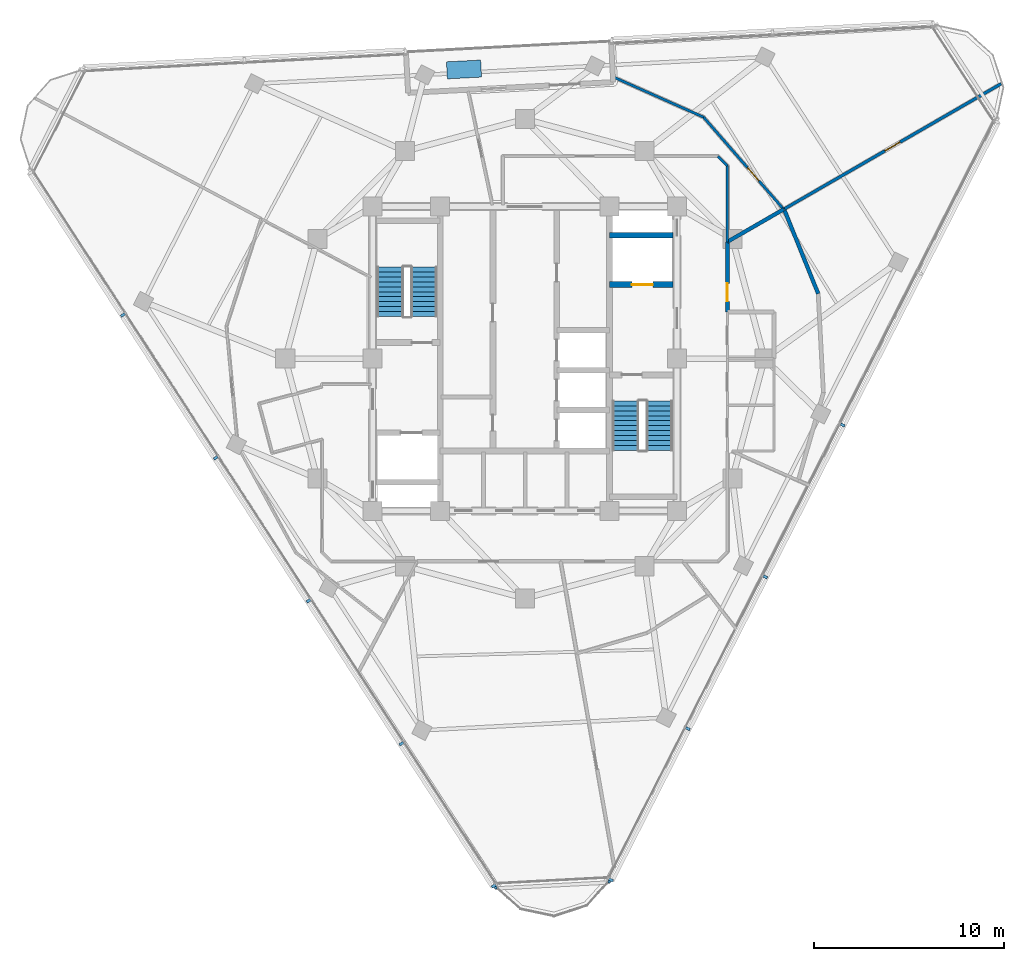
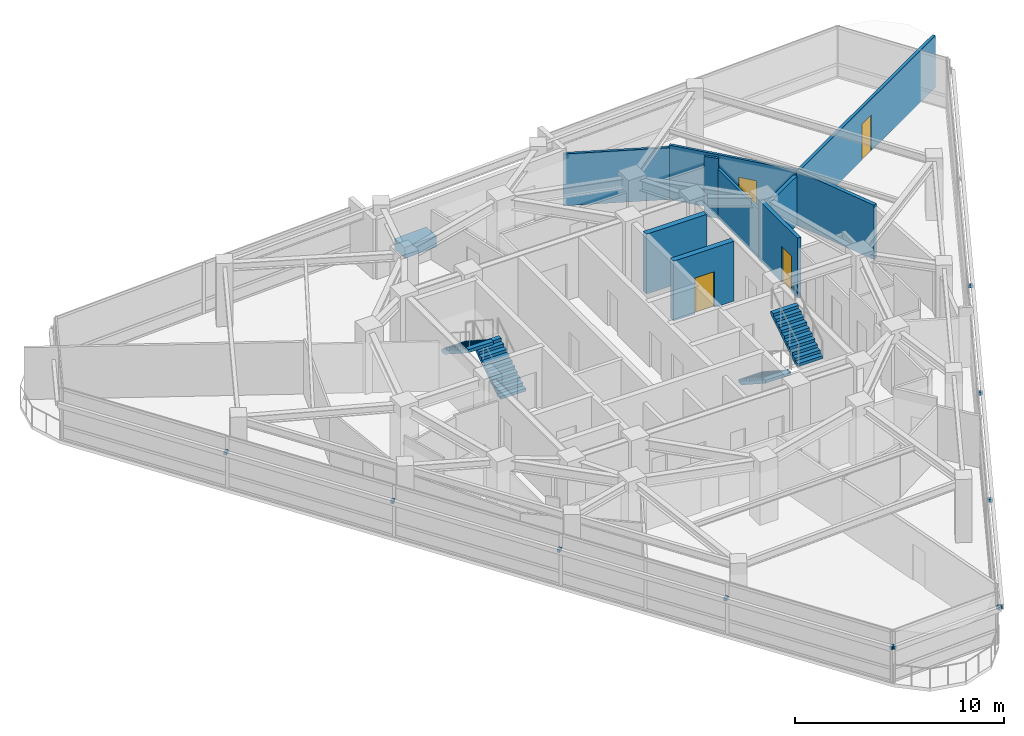
# One storey, part 10 of 15: 12 discrete accessories, 10 walls, 4 doors, 4 stair flights, 4 openings, 2 elements without a shape of their own.
"""IFC4 building model written with IfcOpenShell, lengths in metres."""

import ifcopenshell
import ifcopenshell.guid

model = None  # the IFC model being written
_history = None  # IfcOwnerHistory: only IFC2X3 demands one
_inside = {}  # id of a spatial element -> (the spatial element, [elements in it])
_under = {}  # id of a project, library or spatial element -> (it, [spatial elements below it])
_declared = {}  # id of a project -> (the project, [libraries it declares])
_typed = {}  # id of a type object -> (the type object, [elements of that type])
_made_of = {}  # id of a material, layer set ... -> (it, [elements and type objects made of it])


def new_model(schema):
    """Start an empty IFC model of exactly this schema.

    Asked for "IFC4X3", IfcOpenShell would pick the latest addendum, in which some entities
    have other attributes; the version numbers below select the first issue.
    IFC2X3 requires an IfcOwnerHistory on every rooted entity: one is made here for all.
    """
    global model, _history
    if schema == "IFC4X3":
        model = ifcopenshell.file(schema_version=(4, 3, 0, 0))
    else:
        model = ifcopenshell.file(schema=schema)
    _inside.clear()
    _under.clear()
    _declared.clear()
    _typed.clear()
    _made_of.clear()
    _history = None
    if model.schema == "IFC2X3":
        org = make("IfcOrganization", Name="unknown")
        user = make(
            "IfcPersonAndOrganization",
            ThePerson=make("IfcPerson", FamilyName="unknown"),
            TheOrganization=org,
        )
        app = make(
            "IfcApplication",
            ApplicationDeveloper=org,
            Version="unknown",
            ApplicationFullName="unknown",
            ApplicationIdentifier="unknown",
        )
        _history = make(
            "IfcOwnerHistory",
            OwningUser=user,
            OwningApplication=app,
            ChangeAction="ADDED",
            CreationDate=0,
        )
    return model


def make(cls, **values):
    """One entity of the class cls with the attributes given. An attribute that is None is left unset."""
    return model.create_entity(
        cls, **{name: value for name, value in values.items() if value is not None}
    )


def rooted(cls, **values):
    """An entity with a GlobalId (a new one), such as an element, a storey or a relation."""
    return make(cls, GlobalId=ifcopenshell.guid.new(), OwnerHistory=_history, **values)


def si_unit(unit_type, name, prefix=None):
    """IfcSIUnit, for example si_unit("LENGTHUNIT", "METRE", prefix="MILLI")."""
    return make("IfcSIUnit", UnitType=unit_type, Prefix=prefix, Name=name)


def assignment(units):
    """IfcUnitAssignment: the units of a project."""
    return None if units is None else make("IfcUnitAssignment", Units=units)


def point(xyz):
    """IfcCartesianPoint."""
    return None if xyz is None else make("IfcCartesianPoint", Coordinates=xyz)


def direction(xyz):
    """IfcDirection."""
    return None if xyz is None else make("IfcDirection", DirectionRatios=xyz)


def frame(location, z_axis=None, x_axis=None):
    """IfcAxis2Placement3D, a coordinate frame: its origin and axes. An axis left out is left unset."""
    return make(
        "IfcAxis2Placement3D",
        Location=point(location),
        Axis=direction(z_axis),
        RefDirection=direction(x_axis),
    )


def frame_2d(location, x_axis=None):
    """IfcAxis2Placement2D, a coordinate frame in the plane: its origin and x axis."""
    return make(
        "IfcAxis2Placement2D", Location=point(location), RefDirection=direction(x_axis)
    )


def origin():
    """The frame at (0, 0, 0) with its axes left unset."""
    return frame((0.0, 0.0, 0.0))


def origin_2d():
    """The frame at (0, 0) in the plane with its x axis left unset."""
    return frame_2d((0.0, 0.0))


def place(relative_to, where):
    """IfcLocalPlacement: puts the frame where relative to a parent placement (None: the world)."""
    return make(
        "IfcLocalPlacement", PlacementRelTo=relative_to, RelativePlacement=where
    )


def context(
    kind, dimensions, precision=None, world=None, true_north=None, identifier=None
):
    """IfcGeometricRepresentationContext, for example the 3D "Model" context."""
    return make(
        "IfcGeometricRepresentationContext",
        ContextIdentifier=identifier,
        ContextType=kind,
        CoordinateSpaceDimension=dimensions,
        Precision=precision,
        WorldCoordinateSystem=world,
        TrueNorth=true_north,
    )


def subcontext(parent, identifier, kind, view, scale=None):
    """IfcGeometricRepresentationSubContext, for example "Body" below "Model"."""
    return make(
        "IfcGeometricRepresentationSubContext",
        ContextIdentifier=identifier,
        ContextType=kind,
        ParentContext=parent,
        TargetScale=scale,
        TargetView=view,
    )


def project(units=None, contexts=None):
    """IfcProject with its units and contexts."""
    return rooted(
        "IfcProject",
        Name="project",
        RepresentationContexts=contexts,
        UnitsInContext=assignment(units),
    )


def spatial(cls, under=None, at=None, **own):
    """A site, building, storey or space (cls), placed at a placement, below another one or the project."""
    s = rooted(cls, ObjectPlacement=at, **own)
    if under is not None:
        _under.setdefault(under.id(), (under, []))[1].append(s)
    return s


def polyline(points):
    """IfcPolyline through the points."""
    return make("IfcPolyline", Points=[point(p) for p in points])


def profile(cls, at=None, kind="AREA", **sizes):
    """A parametric profile (cls). Its sizes go by their IFC names, for example OverallWidth=200.0."""
    return make(cls, ProfileType=kind, Position=at, **sizes)


def rectangle(**sizes):
    """IfcRectangleProfileDef."""
    return profile("IfcRectangleProfileDef", **sizes)


def outline(outer, holes=None, kind="AREA"):
    """IfcArbitraryClosedProfileDef: a profile drawn as a closed curve; with holes, ...WithVoids."""
    if holes is None:
        return make("IfcArbitraryClosedProfileDef", ProfileType=kind, OuterCurve=outer)
    return make(
        "IfcArbitraryProfileDefWithVoids",
        ProfileType=kind,
        OuterCurve=outer,
        InnerCurves=holes,
    )


def extrude(swept, where, along, depth):
    """IfcExtrudedAreaSolid: the profile swept, set in the frame where, extruded along a direction by depth."""
    return make(
        "IfcExtrudedAreaSolid",
        SweptArea=swept,
        Position=where,
        ExtrudedDirection=direction(along),
        Depth=depth,
    )


def shape(context_of_items, identifier, shape_type, items):
    """IfcShapeRepresentation: the items that make up one representation, for example the "Body"."""
    return make(
        "IfcShapeRepresentation",
        ContextOfItems=context_of_items,
        RepresentationIdentifier=identifier,
        RepresentationType=shape_type,
        Items=items,
    )


def material(Name=None, Category=None):
    """IfcMaterial."""
    return make("IfcMaterial", Name=Name, Category=Category)


def layer(
    of_material, thickness, ventilated=None, Name=None, Category=None, Priority=None
):
    """IfcMaterialLayer: one layer of a wall or slab, of a material (None: an air gap)."""
    return make(
        "IfcMaterialLayer",
        Material=of_material,
        LayerThickness=thickness,
        IsVentilated=ventilated,
        Name=Name,
        Category=Category,
        Priority=Priority,
    )


def layer_set(layers, Name=None):
    """IfcMaterialLayerSet."""
    return make("IfcMaterialLayerSet", MaterialLayers=layers, LayerSetName=Name)


def made_of(thing, what):
    """Note that an element or type object is made of a material, layer set ...; save() writes the relation."""
    if what is not None:
        _made_of.setdefault(what.id(), (what, []))[1].append(thing)
    return thing


def type_object(cls, material=None, **own):
    """A type object (cls), such as IfcWallType, which elements share."""
    return made_of(rooted(cls, **own), material)


def element(
    cls,
    number,
    at=None,
    inside=None,
    cuts=None,
    type_object=None,
    material=None,
    context=None,
    identifier="Body",
    shape_type=None,
    held_by="IfcProductDefinitionShape",
    body=None,
    shapes=None,
    **own,
):
    """One element of the class cls, such as IfcWall. Its Tag is "e" and its number.

    at: its placement. inside: the storey or other place that contains it. cuts: it is an
    opening in that element (IfcRelVoidsElement). A single representation is given by context,
    identifier, shape_type and body (its items); several are given by shapes. held_by: the class
    of the entity that holds the representations. save() writes the other relations.
    """
    e = rooted(cls, Tag="e%d" % number, ObjectPlacement=at, **own)
    if body is not None:
        shapes = [shape(context, identifier, shape_type, body)]
    if shapes is not None:
        e.Representation = make(held_by, Representations=shapes)
    if inside is not None:
        _inside.setdefault(inside.id(), (inside, []))[1].append(e)
    if cuts is not None:
        rooted(
            "IfcRelVoidsElement", RelatingBuildingElement=cuts, RelatedOpeningElement=e
        )
    if type_object is not None:
        _typed.setdefault(type_object.id(), (type_object, []))[1].append(e)
    return made_of(e, material)


def fill(opening, filler):
    """IfcRelFillsElement: the door or window that sits in an opening."""
    return rooted(
        "IfcRelFillsElement",
        RelatingOpeningElement=opening,
        RelatedBuildingElement=filler,
    )


def aggregate(whole, parts):
    """IfcRelAggregates: a whole, such as a stair, and the parts it consists of."""
    return rooted("IfcRelAggregates", RelatingObject=whole, RelatedObjects=parts)


def save(model, path):
    """Write the relations noted so far, then the file.

    IfcRelAggregates (storeys below a building ...), IfcRelContainedInSpatialStructure (elements
    in a storey), IfcRelDefinesByType, IfcRelAssociatesMaterial and IfcRelDeclares: one each for
    every whole, place, type object, material and project.
    """
    for whole, parts in _under.values():
        aggregate(whole, parts)
    for where, things in _inside.values():
        rooted(
            "IfcRelContainedInSpatialStructure",
            RelatedElements=things,
            RelatingStructure=where,
        )
    for kind, things in _typed.values():
        rooted("IfcRelDefinesByType", RelatedObjects=things, RelatingType=kind)
    for what, things in _made_of.values():
        rooted("IfcRelAssociatesMaterial", RelatedObjects=things, RelatingMaterial=what)
    for by, libraries in _declared.values():
        rooted("IfcRelDeclares", RelatingContext=by, RelatedDefinitions=libraries)
    model.write(path)


model = new_model("IFC4")

# Units and contexts
model_context = context("Model", 3, precision=1e-05, world=origin(), true_north=direction((0.0, 1.0)))
body_context = subcontext(model_context, "Body", "Model", "MODEL_VIEW")
ifc_project = project(units=[si_unit("LENGTHUNIT", "METRE"), si_unit("AREAUNIT", "SQUARE_METRE"), si_unit("VOLUMEUNIT", "CUBIC_METRE"), si_unit("PLANEANGLEUNIT", "RADIAN"), si_unit("MASSUNIT", "GRAM", prefix="KILO")], contexts=[model_context])

# Site, building, storey
site_placement = place(None, origin())
site = spatial("IfcSite", under=ifc_project, at=site_placement, CompositionType="ELEMENT")
building_placement = place(site_placement, origin())
building = spatial("IfcBuilding", under=site, at=building_placement, Name="Terralouvre Media Tower", CompositionType="ELEMENT")
storey_placement = place(building_placement, frame((0.0, 0.0, 270.699951171875)))
storey = spatial("IfcBuildingStorey", under=building, at=storey_placement, Name="L70", CompositionType="ELEMENT", Elevation=270.699951171875)

# Wall, opening, door
ifc_material_1 = material(Name="Concrete C50/60", Category="concrete")
ifc_layer_1 = layer(ifc_material_1, 0.300048828125, Name="Core Internal Shaft Wall CW-300")
ifc_layer_set_1 = layer_set([ifc_layer_1], Name="Concrete C50/60")
wall_type_1 = type_object("IfcWallType", Name="Core Internal Shaft Wall CW-300", PredefinedType="SHEAR", material=ifc_layer_set_1)
wall_1_placement = place(storey_placement, frame((4.449951171875, 3.89990234375, 0.0), z_axis=(0.0, 0.0, 1.0), x_axis=(1.0, 0.0, 0.0)))
wall_1 = element("IfcWall", 1, at=wall_1_placement, inside=storey, type_object=wall_type_1, Name="L70 Core Shaft Wall FF2S", PredefinedType="SHEAR", context=body_context, shape_type="SweptSolid", body=[
    extrude(rectangle(XDim=3.340087890625, YDim=0.300048828125, at=frame_2d((1.669921875, 0.0))), origin(), (0.0, 0.0, 1.0), 3.5),
])
opening_1_placement = place(wall_1_placement, frame((1.179931640625, 0.0, 0.0)))
opening_1 = element("IfcOpeningElement", 2, at=opening_1_placement, cuts=wall_1, Name="Opening LD-FF", PredefinedType="OPENING", context=body_context, shape_type="SweptSolid", body=[
    extrude(rectangle(XDim=1.10009765625, YDim=2.10009765625, at=frame_2d((0.550048828125, 1.050048828125))), frame((0.0, 0.159912109375, 0.0), z_axis=(0.0, -1.0, 0.0), x_axis=(1.0, 0.0, 0.0)), (0.0, 0.0, 1.0), 0.320068359375),
])
ifc_material_2 = material(Name="Stainless steel 316 handrail and balustrade", Category="steel")
door_type_1 = type_object("IfcDoorType", Name="Firefighting Lift Sliding Landing Door LD-FF", OperationType="SLIDING_TO_LEFT", PredefinedType="DOOR", material=ifc_material_2)
door_1_placement = place(opening_1_placement, origin())
door_1 = element("IfcDoor", 3, at=door_1_placement, inside=storey, type_object=door_type_1, Name="L70 Firefighting Lift FFL-02 Landing Door", OperationType="SLIDING_TO_LEFT", OverallHeight=2.10009765625, OverallWidth=1.10009765625, PredefinedType="DOOR", context=body_context, shape_type="SweptSolid", body=[
    extrude(rectangle(XDim=1.10009765625, YDim=2.10009765625, at=frame_2d((0.550048828125, 1.050048828125))), frame((0.0, 0.02490234375, 0.0), z_axis=(0.0, -1.0, 0.0), x_axis=(1.0, 0.0, 0.0)), (0.0, 0.0, 1.0), 0.050048828125),
])
fill(opening_1, door_1)

# Wall
wall_2_placement = place(storey_placement, frame((4.449951171875, 6.5, 0.0), z_axis=(0.0, 0.0, 1.0), x_axis=(1.0, 0.0, 0.0)))
element("IfcWall", 4, at=wall_2_placement, inside=storey, type_object=wall_type_1, Name="L70 Core Shaft Wall FF2N", PredefinedType="SHEAR", context=body_context, shape_type="SweptSolid", body=[
    extrude(rectangle(XDim=3.340087890625, YDim=0.300048828125, at=frame_2d((1.669921875, 0.0))), origin(), (0.0, 0.0, 1.0), 3.5),
])

# Wall, opening, door
ifc_material_3 = material(Name="Fire-rated gypsum board drywall partition")
ifc_layer_2 = layer(ifc_material_3, 0.199951171875, Name="Fire-Rated Shaft and Lobby Partition FW-200")
ifc_layer_set_2 = layer_set([ifc_layer_2], Name="Fire-rated gypsum board drywall partition")
wall_type_2 = type_object("IfcWallType", Name="Fire-Rated Shaft and Lobby Partition FW-200", PredefinedType="SOLIDWALL", material=ifc_layer_set_2)
wall_3_placement = place(storey_placement, frame((10.64990234375, 2.449951171875, 0.0), z_axis=(0.0, 0.0, 1.0), x_axis=(0.0, 1.0, 0.0)))
wall_3 = element("IfcWall", 5, at=wall_3_placement, inside=storey, type_object=wall_type_2, Name="L70 Interior Partition 015", PredefinedType="SOLIDWALL", context=body_context, shape_type="SweptSolid", body=[
    extrude(rectangle(XDim=3.698974609375, YDim=0.199951171875, at=frame_2d((1.849609375, 0.0))), origin(), (0.0, 0.0, 1.0), 3.5),
])
opening_2_placement = place(wall_3_placement, frame((0.560791015625, 0.0, 0.0)))
opening_2 = element("IfcOpeningElement", 6, at=opening_2_placement, cuts=wall_3, Name="Opening FD-02-95X210", PredefinedType="OPENING", context=body_context, shape_type="SweptSolid", body=[
    extrude(rectangle(XDim=0.949951171875, YDim=2.10009765625, at=frame_2d((0.47509765625, 1.050048828125))), frame((0.0, 0.10986328125, 0.0), z_axis=(0.0, -1.0, 0.0), x_axis=(1.0, 0.0, 0.0)), (0.0, 0.0, 1.0), 0.219970703125),
])
ifc_material_4 = material(Name="Galvanised steel fire-resisting leaf", Category="steel")
door_type_2 = type_object("IfcDoorType", Name="Plant and Riser Fire Door FD-02 (950x2100)", OperationType="NOTDEFINED", PredefinedType="DOOR", material=ifc_material_4)
door_2_placement = place(opening_2_placement, origin())
door_2 = element("IfcDoor", 7, at=door_2_placement, inside=storey, type_object=door_type_2, Name="L70 Lighting Dimmer Switch Room 6 Door", OperationType="SINGLE_SWING_LEFT", OverallHeight=2.10009765625, OverallWidth=0.949951171875, PredefinedType="DOOR", context=body_context, shape_type="SweptSolid", body=[
    extrude(rectangle(XDim=0.949951171875, YDim=2.10009765625, at=frame_2d((0.47509765625, 1.050048828125))), frame((0.0, 0.02490234375, 0.0), z_axis=(0.0, -1.0, 0.0), x_axis=(1.0, 0.0, 0.0)), (0.0, 0.0, 1.0), 0.050048828125),
])
fill(opening_2, door_2)

# Walls
wall_4_placement = place(storey_placement, frame((15.425048828125, 3.419921875, 0.0), z_axis=(0.0, 0.0, 1.0), x_axis=(-0.374591900922, 0.927189790584, 0.0)))
element("IfcWall", 8, at=wall_4_placement, inside=storey, type_object=wall_type_2, Name="L70 Interior Partition 045", PredefinedType="SOLIDWALL", context=body_context, shape_type="SweptSolid", body=[
    extrude(rectangle(XDim=4.73046875, YDim=0.199951171875, at=frame_2d((2.365234375, 0.0))), origin(), (0.0, 0.0, 1.0), 3.18505859375),
])
wall_5_placement = place(storey_placement, frame((13.60888671875, 7.85693359375, 0.0), z_axis=(0.0, 0.0, 1.0), x_axis=(-0.866071357471, -0.499920397431, 0.0)))
element("IfcWall", 9, at=wall_5_placement, inside=storey, type_object=wall_type_2, Name="L70 Interior Partition 046", PredefinedType="SOLIDWALL", context=body_context, shape_type="SweptSolid", body=[
    extrude(rectangle(XDim=3.41650390625, YDim=0.199951171875, at=frame_2d((1.708251953125, 0.0))), origin(), (0.0, 0.0, 1.0), 2.885009765625),
])
ifc_material_5 = material(Name="Fire-rated gypsum board drywall partition")
ifc_layer_3 = layer(ifc_material_5, 0.135009765625, Name="Newsroom Acoustic Partition PT-135")
ifc_layer_set_3 = layer_set([ifc_layer_3], Name="Fire-rated gypsum board drywall partition")
wall_type_3 = type_object("IfcWallType", Name="Newsroom Acoustic Partition PT-135", PredefinedType="PARTITIONING", material=ifc_layer_set_3)
wall_6_placement = place(storey_placement, frame((10.64990234375, 6.14892578125, 0.0), z_axis=(0.0, 0.0, 1.0), x_axis=(0.0, 1.0, 0.0)))
element("IfcWall", 10, at=wall_6_placement, inside=storey, type_object=wall_type_3, Name="L70 Interior Partition 017", PredefinedType="PARTITIONING", context=body_context, shape_type="SweptSolid", body=[
    extrude(rectangle(XDim=4.0009765625, YDim=0.135009765625, at=frame_2d((2.00048828125, 0.0))), origin(), (0.0, 0.0, 1.0), 2.885009765625),
])
wall_7_placement = place(storey_placement, frame((10.64990234375, 10.14990234375, 0.0), z_axis=(0.0, 0.0, 1.0), x_axis=(-0.707106781187, 0.707106781187, 0.0)))
element("IfcWall", 11, at=wall_7_placement, inside=storey, type_object=wall_type_3, Name="L70 Interior Partition 018", PredefinedType="PARTITIONING", context=body_context, shape_type="SweptSolid", body=[
    extrude(rectangle(XDim=0.70703125, YDim=0.135009765625, at=frame_2d((0.353515625, 0.0))), origin(), (0.0, 0.0, 1.0), 3.5),
])
wall_8_placement = place(storey_placement, frame((4.71240234375, 14.78759765625, 0.0), z_axis=(0.0, 0.0, 1.0), x_axis=(0.913507055513, -0.406822884716, 0.0)))
element("IfcWall", 12, at=wall_8_placement, inside=storey, type_object=wall_type_3, Name="L70 Interior Partition 048", PredefinedType="PARTITIONING", context=body_context, shape_type="SweptSolid", body=[
    extrude(rectangle(XDim=5.129150390625, YDim=0.135009765625, at=frame_2d((2.564453125, 0.0))), origin(), (0.0, 0.0, 1.0), 3.03515625),
])

# Wall, opening, door
wall_9_placement = place(storey_placement, frame((9.39794921875, 12.700927734375, 0.0), z_axis=(0.0, 0.0, 1.0), x_axis=(0.656069468174, -0.754700505452, 0.0)))
wall_9 = element("IfcWall", 13, at=wall_9_placement, inside=storey, type_object=wall_type_3, Name="L70 Interior Partition 049", PredefinedType="PARTITIONING", context=body_context, shape_type="SweptSolid", body=[
    extrude(rectangle(XDim=6.41845703125, YDim=0.135009765625, at=frame_2d((3.209228515625, 0.0))), origin(), (0.0, 0.0, 1.0), 3.18505859375),
])
opening_3_placement = place(wall_9_placement, frame((3.51953125, 0.0, 0.0)))
opening_3 = element("IfcOpeningElement", 14, at=opening_3_placement, cuts=wall_9, Name="Opening ID-03-92X210", PredefinedType="OPENING", context=body_context, shape_type="SweptSolid", body=[
    extrude(rectangle(XDim=0.919921875, YDim=2.10009765625, at=frame_2d((0.4599609375, 1.050048828125))), frame((0.0, 0.077392578125, 0.0), z_axis=(0.0, -1.0, 0.0), x_axis=(1.0, 0.0, 0.0)), (0.0, 0.0, 1.0), 0.155029296875),
])
ifc_material_6 = material(Name="Engineered hardwood acoustic timber leaf", Category="wood")
door_type_3 = type_object("IfcDoorType", Name="Accessible Restroom and Suite Door ID-03 (920x2100)", OperationType="NOTDEFINED", PredefinedType="DOOR", material=ifc_material_6)
door_3_placement = place(opening_3_placement, origin())
door_3 = element("IfcDoor", 15, at=door_3_placement, inside=storey, type_object=door_type_3, Name="L70 Creative Set Workshop 8 Door", OperationType="SINGLE_SWING_RIGHT", OverallHeight=2.10009765625, OverallWidth=0.919921875, PredefinedType="DOOR", context=body_context, shape_type="SweptSolid", body=[
    extrude(rectangle(XDim=0.919921875, YDim=2.10009765625, at=frame_2d((0.4599609375, 1.050048828125))), frame((0.0, 0.02490234375, 0.0), z_axis=(0.0, -1.0, 0.0), x_axis=(1.0, 0.0, 0.0)), (0.0, 0.0, 1.0), 0.050048828125),
])
fill(opening_3, door_3)

ifc_material_7 = material(Name="Fire-rated gypsum board drywall partition")
ifc_layer_4 = layer(ifc_material_7, 0.159912109375, Name="Studio Acoustic Rated Partition PT-160")
ifc_layer_set_4 = layer_set([ifc_layer_4], Name="Fire-rated gypsum board drywall partition")
wall_type_4 = type_object("IfcWallType", Name="Studio Acoustic Rated Partition PT-160", PredefinedType="PARTITIONING", material=ifc_layer_set_4)
wall_10_placement = place(storey_placement, frame((25.04248046875, 14.45849609375, 0.0), z_axis=(0.0, 0.0, 1.0), x_axis=(-0.866012847166, -0.50002174807, 0.0)))
wall_10 = element("IfcWall", 16, at=wall_10_placement, inside=storey, type_object=wall_type_4, Name="L70 Interior Partition 047", PredefinedType="PARTITIONING", context=body_context, shape_type="SweptSolid", body=[
    extrude(rectangle(XDim=13.1806640625, YDim=0.159912109375, at=frame_2d((6.59033203125, 0.0))), origin(), (0.0, 0.0, 1.0), 3.03515625),
])
opening_4_placement = place(wall_10_placement, frame((6.130126953125, 0.0, 0.0)))
opening_4 = element("IfcOpeningElement", 17, at=opening_4_placement, cuts=wall_10, Name="Opening ID-03-92X210", PredefinedType="OPENING", context=body_context, shape_type="SweptSolid", body=[
    extrude(rectangle(XDim=0.919921875, YDim=2.10009765625, at=frame_2d((0.4599609375, 1.050048828125))), frame((0.0, 0.08984375, 0.0), z_axis=(0.0, -1.0, 0.0), x_axis=(1.0, 0.0, 0.0)), (0.0, 0.0, 1.0), 0.179931640625),
])
door_4_placement = place(opening_4_placement, origin())
door_4 = element("IfcDoor", 18, at=door_4_placement, inside=storey, type_object=door_type_3, Name="L70 Preview Screening Cinema 7 Door", OperationType="SINGLE_SWING_LEFT", OverallHeight=2.10009765625, OverallWidth=0.919921875, PredefinedType="DOOR", context=body_context, shape_type="SweptSolid", body=[
    extrude(rectangle(XDim=0.919921875, YDim=2.10009765625, at=frame_2d((0.4599609375, 1.050048828125))), frame((0.0, 0.02490234375, 0.0), z_axis=(0.0, -1.0, 0.0), x_axis=(1.0, 0.0, 0.0)), (0.0, 0.0, 1.0), 0.050048828125),
])
fill(opening_4, door_4)

# Stair, stair flights
ifc_material_8 = material(Name="Concrete C45/55", Category="concrete")
stair_type_1 = type_object("IfcStairType", Name="Dogleg Stair Assembly ST-01", PredefinedType="HALF_TURN_STAIR", material=ifc_material_8)
stair_1_placement = place(storey_placement, origin())
stair_1 = element("IfcStair", 19, at=stair_1_placement, inside=storey, type_object=stair_type_1, Name="L70 Core Pressurised Exit Stair ST-01", PredefinedType="HALF_TURN_STAIR")
ifc_material_9 = material(Name="Concrete C45/55", Category="concrete")
stair_flight_type = type_object("IfcStairFlightType", Name="Reinforced Concrete Stair Flight SF-RC1", PredefinedType="STRAIGHT", material=ifc_material_9)
stair_flight_1_placement = place(storey_placement, frame((-5.300048828125, 2.219970703125, 0.0), z_axis=(0.0, 0.0, 1.0), x_axis=(0.0, 1.0, 0.0)))
stair_flight_1 = element("IfcStairFlight", 20, at=stair_flight_1_placement, type_object=stair_flight_type, Name="ST-01 flight 1", NumberOfRisers=11, NumberOfTreads=10, PredefinedType="STRAIGHT", RiserHeight=0.168181818, TreadLength=0.26, context=body_context, shape_type="SweptSolid", body=[
    extrude(outline(polyline([(0.0, 0.0), (0.0, 0.168212890625), (0.260009765625, 0.168212890625), (0.260009765625, 0.33642578125), (0.52001953125, 0.33642578125), (0.52001953125, 0.504638671875), (0.780029296875, 0.504638671875), (0.780029296875, 0.672607421875), (1.0400390625, 0.672607421875), (1.0400390625, 0.8408203125), (1.300048828125, 0.8408203125), (1.300048828125, 1.009033203125), (1.56005859375, 1.009033203125), (1.56005859375, 1.17724609375), (1.820068359375, 1.17724609375), (1.820068359375, 1.345458984375), (2.080078125, 1.345458984375), (2.080078125, 1.513671875), (2.340087890625, 1.513671875), (2.340087890625, 1.681884765625), (2.60009765625, 1.681884765625), (2.60009765625, 1.85009765625), (2.60009765625, 1.503173828125), (0.27587890625, 0.0), (0.0, 0.0)])), frame((0.0, 0.699951171875, 0.0), z_axis=(0.0, -1.0, 0.0), x_axis=(1.0, 0.0, 0.0)), (0.0, 0.0, 1.0), 1.39990234375),
])
stair_flight_2_placement = place(storey_placement, frame((-7.080078125, 4.820068359375, 1.85009765625), z_axis=(0.0, 0.0, 1.0), x_axis=(0.0, -1.0, 0.0)))
stair_flight_2 = element("IfcStairFlight", 21, at=stair_flight_2_placement, type_object=stair_flight_type, Name="ST-01 flight 2", NumberOfRisers=11, NumberOfTreads=10, PredefinedType="STRAIGHT", RiserHeight=0.168181818, TreadLength=0.26, context=body_context, shape_type="SweptSolid", body=[
    extrude(outline(polyline([(0.0, 0.0), (0.0, 0.168212890625), (0.260009765625, 0.168212890625), (0.260009765625, 0.33642578125), (0.52001953125, 0.33642578125), (0.52001953125, 0.504638671875), (0.780029296875, 0.504638671875), (0.780029296875, 0.672607421875), (1.0400390625, 0.672607421875), (1.0400390625, 0.8408203125), (1.300048828125, 0.8408203125), (1.300048828125, 1.009033203125), (1.56005859375, 1.009033203125), (1.56005859375, 1.17724609375), (1.820068359375, 1.17724609375), (1.820068359375, 1.345458984375), (2.080078125, 1.345458984375), (2.080078125, 1.513671875), (2.340087890625, 1.513671875), (2.340087890625, 1.681884765625), (2.60009765625, 1.681884765625), (2.60009765625, 1.85009765625), (2.60009765625, 1.503173828125), (0.27587890625, 0.0), (0.0, 0.0)])), frame((0.0, 0.699951171875, 0.0), z_axis=(0.0, -1.0, 0.0), x_axis=(1.0, 0.0, 0.0)), (0.0, 0.0, 1.0), 1.39990234375),
])
aggregate(stair_1, [stair_flight_1, stair_flight_2])

ifc_material_10 = material(Name="Concrete C45/55", Category="concrete")
stair_type_2 = type_object("IfcStairType", Name="Dogleg Stair Assembly ST-02", PredefinedType="HALF_TURN_STAIR", material=ifc_material_10)
stair_2_placement = place(storey_placement, origin())
stair_2 = element("IfcStair", 22, at=stair_2_placement, inside=storey, type_object=stair_type_2, Name="L70 Core Pressurised Exit Stair ST-02", PredefinedType="HALF_TURN_STAIR")
stair_flight_3_placement = place(storey_placement, frame((5.300048828125, -2.219970703125, 0.0), z_axis=(0.0, 0.0, 1.0), x_axis=(0.0, -1.0, 0.0)))
stair_flight_3 = element("IfcStairFlight", 23, at=stair_flight_3_placement, type_object=stair_flight_type, Name="ST-02 flight 1", NumberOfRisers=11, NumberOfTreads=10, PredefinedType="STRAIGHT", RiserHeight=0.168181818, TreadLength=0.26, context=body_context, shape_type="SweptSolid", body=[
    extrude(outline(polyline([(0.0, 0.0), (0.0, 0.168212890625), (0.260009765625, 0.168212890625), (0.260009765625, 0.33642578125), (0.52001953125, 0.33642578125), (0.52001953125, 0.504638671875), (0.780029296875, 0.504638671875), (0.780029296875, 0.672607421875), (1.0400390625, 0.672607421875), (1.0400390625, 0.8408203125), (1.300048828125, 0.8408203125), (1.300048828125, 1.009033203125), (1.56005859375, 1.009033203125), (1.56005859375, 1.17724609375), (1.820068359375, 1.17724609375), (1.820068359375, 1.345458984375), (2.080078125, 1.345458984375), (2.080078125, 1.513671875), (2.340087890625, 1.513671875), (2.340087890625, 1.681884765625), (2.60009765625, 1.681884765625), (2.60009765625, 1.85009765625), (2.60009765625, 1.503173828125), (0.27587890625, 0.0), (0.0, 0.0)])), frame((0.0, 0.699951171875, 0.0), z_axis=(0.0, -1.0, 0.0), x_axis=(1.0, 0.0, 0.0)), (0.0, 0.0, 1.0), 1.39990234375),
])
stair_flight_4_placement = place(storey_placement, frame((7.080078125, -4.820068359375, 1.85009765625), z_axis=(0.0, 0.0, 1.0), x_axis=(0.0, 1.0, 0.0)))
stair_flight_4 = element("IfcStairFlight", 24, at=stair_flight_4_placement, type_object=stair_flight_type, Name="ST-02 flight 2", NumberOfRisers=11, NumberOfTreads=10, PredefinedType="STRAIGHT", RiserHeight=0.168181818, TreadLength=0.26, context=body_context, shape_type="SweptSolid", body=[
    extrude(outline(polyline([(0.0, 0.0), (0.0, 0.168212890625), (0.260009765625, 0.168212890625), (0.260009765625, 0.33642578125), (0.52001953125, 0.33642578125), (0.52001953125, 0.504638671875), (0.780029296875, 0.504638671875), (0.780029296875, 0.672607421875), (1.0400390625, 0.672607421875), (1.0400390625, 0.8408203125), (1.300048828125, 0.8408203125), (1.300048828125, 1.009033203125), (1.56005859375, 1.009033203125), (1.56005859375, 1.17724609375), (1.820068359375, 1.17724609375), (1.820068359375, 1.345458984375), (2.080078125, 1.345458984375), (2.080078125, 1.513671875), (2.340087890625, 1.513671875), (2.340087890625, 1.681884765625), (2.60009765625, 1.681884765625), (2.60009765625, 1.85009765625), (2.60009765625, 1.503173828125), (0.27587890625, 0.0), (0.0, 0.0)])), frame((0.0, 0.699951171875, 0.0), z_axis=(0.0, -1.0, 0.0), x_axis=(1.0, 0.0, 0.0)), (0.0, 0.0, 1.0), 1.39990234375),
])
aggregate(stair_2, [stair_flight_3, stair_flight_4])

# Discrete accessories
ifc_material_11 = material(Name="Anodised extruded aluminium 6063-T6", Category="aluminium")
discrete_accessory_type_1 = type_object("IfcDiscreteAccessoryType", Name="Mullion Stand-Off Baguette Fixing Bracket BK-01", PredefinedType="BRACKET", material=ifc_material_11)
for number, where, z_axis, x_axis, name in (
    (25, (4.52490234375, -27.403564453125, 2.07421875), (0.0, 0.0, 1.0), (0.45399044259, 0.891006553308, 0.0), "CW-L70-F0 Baguette Outrigger Bracket 1.01"),
    (26, (8.57568359375, -19.45361328125, 2.07421875), (0.0, 0.0, 1.0), (0.45399044259, 0.891006553308, 0.0), "CW-L70-F0 Baguette Outrigger Bracket 1.02"),
    (27, (12.643310546875, -11.47021484375, 2.07421875), (0.0, 0.0, 1.0), (0.45399044259, 0.891006553308, 0.0), "CW-L70-F0 Baguette Outrigger Bracket 1.03"),
    (28, (16.711181640625, -3.48681640625, 2.07421875), (0.0, 0.0, 1.0), (0.45399044259, 0.891006553308, 0.0), "CW-L70-F0 Baguette Outrigger Bracket 1.04"),
    (29, (-21.135009765625, 2.300048828125, 2.07421875), (0.0, 0.0, 1.0), (0.544639069077, -0.838670545826, 0.0), "CW-L70-F2 Baguette Outrigger Bracket 1.02"),
    (30, (-16.255126953125, -5.21435546875, 2.07421875), (0.0, 0.0, 1.0), (0.544639069077, -0.838670545826, 0.0), "CW-L70-F2 Baguette Outrigger Bracket 1.03"),
    (31, (-11.375244140625, -12.72900390625, 2.07421875), (0.0, 0.0, 1.0), (0.544639069077, -0.838670545826, 0.0), "CW-L70-F2 Baguette Outrigger Bracket 1.04"),
    (32, (-6.4951171875, -20.243408203125, 2.07421875), (0.0, 0.0, 1.0), (0.544639069077, -0.838670545826, 0.0), "CW-L70-F2 Baguette Outrigger Bracket 1.05"),
    (33, (-1.6357421875, -27.726318359375, 2.07421875), (0.0, 0.0, 1.0), (0.544639069077, -0.838670545826, 0.0), "CW-L70-F2 Baguette Outrigger Bracket 1.06"),
    (34, (-1.543212890625, -27.754150390625, 2.07421875), (0.0, 0.0, 1.0), (0.998629533744, 0.05233597552, 0.0), "CW-L70-C0 Baguette Outrigger Bracket 1.01"),
    (35, (4.435791015625, -27.440673828125, 2.07421875), (0.0, 0.0, 1.0), (0.998629533744, 0.05233597552, 0.0), "CW-L70-C0 Baguette Outrigger Bracket 1.02"),
):
    element("IfcDiscreteAccessory", number, at=place(storey_placement, frame(where, z_axis=z_axis, x_axis=x_axis)), inside=storey, type_object=discrete_accessory_type_1, Name=name, PredefinedType="BRACKET", context=body_context, shape_type="SweptSolid", body=[
        extrude(rectangle(XDim=0.139892578125, YDim=0.239990234375, at=origin_2d()), origin(), (0.0, 0.0, 1.0), 0.179931640625),
    ])
ifc_material_12 = material(Name="Kiln-fired architectural terracotta rainscreen cladding", Category="masonry")
discrete_accessory_type_2 = type_object("IfcDiscreteAccessoryType", Name="Planted Tropical Garden Bed Planter PLT-01", PredefinedType="USERDEFINED", material=ifc_material_12)
discrete_accessory_placement = place(storey_placement, frame((-3.200439453125, 15.2109375, -0.0048828125), z_axis=(0.0, 0.0, 1.0), x_axis=(-0.998629533742, -0.052335975572, 0.0)))
element("IfcDiscreteAccessory", 36, at=discrete_accessory_placement, inside=storey, type_object=discrete_accessory_type_2, Name="L70 SG Planted Garden Bed Planter", ObjectType="PLANTER", PredefinedType="USERDEFINED", context=body_context, shape_type="SweptSolid", body=[
    extrude(rectangle(XDim=1.800048828125, YDim=0.89990234375, at=origin_2d()), origin(), (0.0, 0.0, 1.0), 0.64990234375),
])

save(model, "model.ifc")
